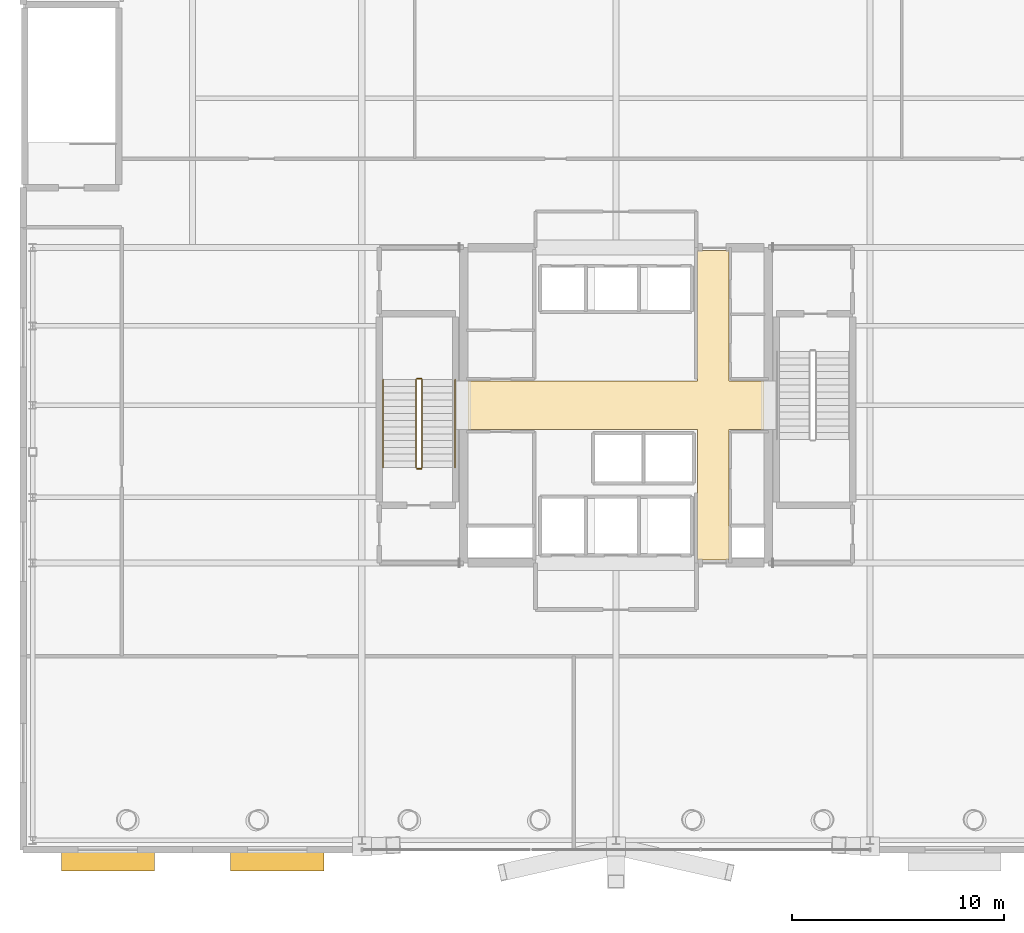
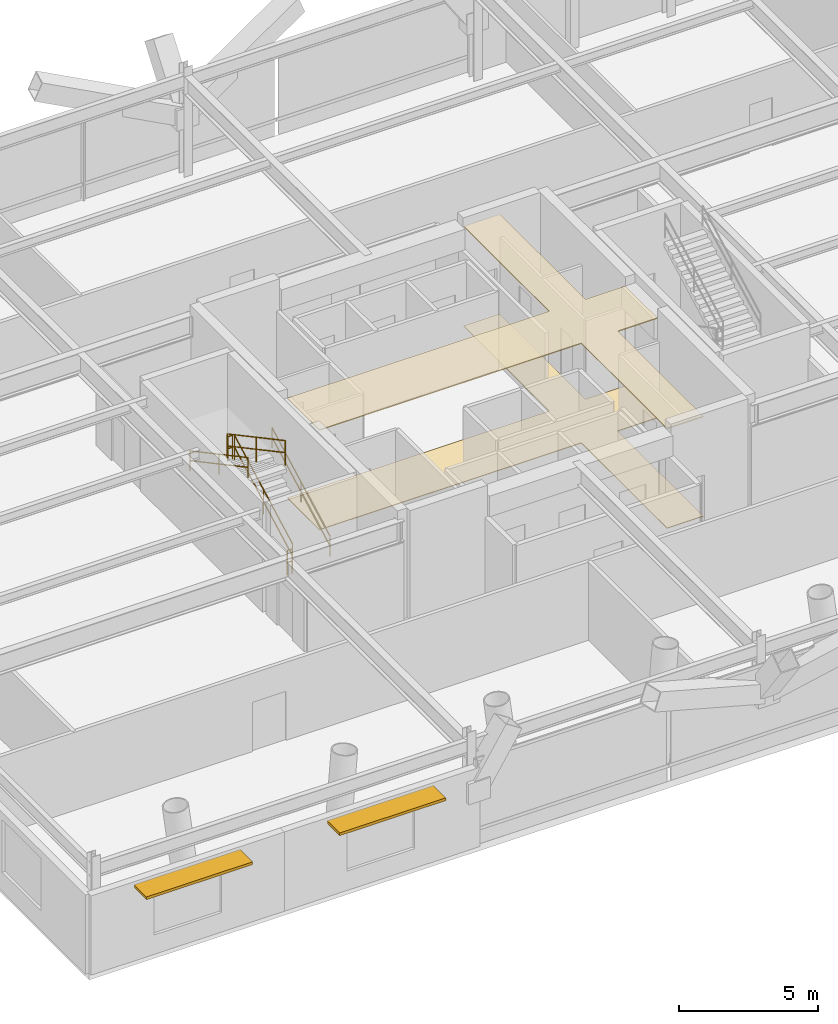
# One storey, part 19 of 21: 6 railings, 2 coverings, 2 shading devices.
"""IFC4 building model written with IfcOpenShell, lengths in metres."""

from ifc_helpers import new_model, si_unit, direction, frame, origin, origin_2d, place, context, subcontext, project, spatial, polyline, rectangle, circle, outline, extrude, material, layer, layer_set, type_object, element, save


model = new_model("IFC4")

# Units and contexts
model_context = context("Model", 3, precision=1e-05, world=origin(), true_north=direction((0.0, 1.0)))
body_context = subcontext(model_context, "Body", "Model", "MODEL_VIEW")
ifc_project = project(units=[si_unit("LENGTHUNIT", "METRE"), si_unit("AREAUNIT", "SQUARE_METRE"), si_unit("VOLUMEUNIT", "CUBIC_METRE"), si_unit("PLANEANGLEUNIT", "RADIAN"), si_unit("MASSUNIT", "GRAM", prefix="KILO")], contexts=[model_context])

# Site, building, storey
site_placement = place(None, origin())
site = spatial("IfcSite", under=ifc_project, at=site_placement, CompositionType="ELEMENT")
building_placement = place(site_placement, origin())
building = spatial("IfcBuilding", under=site, at=building_placement, Name="Veldorina Hangang Commons", CompositionType="ELEMENT")
storey_placement = place(building_placement, frame((0.0, 0.0, 19.60009765625)))
storey = spatial("IfcBuildingStorey", under=building, at=storey_placement, Name="L04", CompositionType="ELEMENT", Elevation=19.60009765625)

# Coverings
ifc_material_1 = material(Name="Mineral Fibre Acoustic Tile", Category="gypsum")
ifc_layer_1 = layer(ifc_material_1, 0.0400390625)
ifc_layer_set_1 = layer_set([ifc_layer_1], Name="Mineral Fibre Acoustic Tile")
covering_type_1 = type_object("IfcCoveringType", Name="COV-CEIL-AC60", PredefinedType="CEILING", material=ifc_layer_set_1)
covering_1_placement = place(storey_placement, frame((0.0, 0.0, 4.35986328125)))
element("IfcCovering", 1, at=covering_1_placement, inside=storey, type_object=covering_type_1, Name="L04 lobby suspended acoustic ceiling", PredefinedType="CEILING", context=body_context, shape_type="SweptSolid", body=[
    extrude(outline(polyline([(25.0, 22.85009765625), (35.85009765625, 22.85009765625), (35.85009765625, 16.699951171875), (37.35009765625, 16.699951171875), (37.35009765625, 22.85009765625), (39.0, 22.85009765625), (39.0, 25.14990234375), (37.35009765625, 25.14990234375), (37.35009765625, 31.300048828125), (35.85009765625, 31.300048828125), (35.85009765625, 25.14990234375), (25.0, 25.14990234375), (25.0, 22.85009765625)])), origin(), (0.0, 0.0, 1.0), 0.0400390625),
])
ifc_material_2 = material(Name="Stone Venetian Terrazzo", Category="masonry")
ifc_layer_2 = layer(ifc_material_2, 0.030029296875)
ifc_layer_set_2 = layer_set([ifc_layer_2], Name="Stone Venetian Terrazzo")
covering_type_2 = type_object("IfcCoveringType", Name="COV-FLR-TERZ", PredefinedType="FLOORING", material=ifc_layer_set_2)
covering_2_placement = place(storey_placement, origin())
element("IfcCovering", 2, at=covering_2_placement, inside=storey, type_object=covering_type_2, Name="L04 lobby terrazzo floor finish", PredefinedType="FLOORING", context=body_context, shape_type="SweptSolid", body=[
    extrude(outline(polyline([(25.0, 22.85009765625), (35.85009765625, 22.85009765625), (35.85009765625, 16.699951171875), (37.35009765625, 16.699951171875), (37.35009765625, 22.85009765625), (39.0, 22.85009765625), (39.0, 25.14990234375), (37.35009765625, 25.14990234375), (37.35009765625, 31.300048828125), (35.85009765625, 31.300048828125), (35.85009765625, 25.14990234375), (25.0, 25.14990234375), (25.0, 22.85009765625)])), origin(), (0.0, 0.0, 1.0), 0.02978515625),
])

# Railings
ifc_material_3 = material(Name="Steel Painted Balustrade", Category="steel")
railing_type_1 = type_object("IfcRailingType", Name="RL-GRD-STAIR", PredefinedType="GUARDRAIL", material=ifc_material_3)
railing_1_placement = place(storey_placement, frame((22.85009765625, 21.050048828125, 0.17138671875)))
element("IfcRailing", 3, at=railing_1_placement, inside=storey, type_object=railing_type_1, Name="L04 ST-1 stair guard 1", PredefinedType="GUARDRAIL", context=body_context, shape_type="SweptSolid", body=[
    extrude(circle(Radius=0.02392578125, at=origin_2d()), frame((0.0, 0.0, 1.076171875), z_axis=(0.0, 0.881480739103, 0.472219976908), x_axis=(-1.0, 0.0, 0.0)), (0.0, 0.0, 1.0), 4.71923828125),
    extrude(circle(Radius=0.02392578125, at=origin_2d()), frame((0.0, 0.0, 0.550048828125), z_axis=(0.0, 0.881480739103, 0.472219976908), x_axis=(-1.0, 0.0, 0.0)), (0.0, 0.0, 1.0), 4.71923828125),
    extrude(circle(Radius=0.02099609375, at=origin_2d()), origin(), (0.0, 0.0, 1.0), 1.052001953125),
    extrude(circle(Radius=0.02099609375, at=origin_2d()), frame((0.0, 2.080078125, 1.1142578125)), (0.0, 0.0, 1.0), 1.052001953125),
    extrude(circle(Radius=0.02099609375, at=origin_2d()), frame((0.0, 4.159912109375, 2.228515625)), (0.0, 0.0, 1.0), 1.052001953125),
])
railing_2_placement = place(storey_placement, frame((22.800048828125, 25.260009765625, 2.39990234375)))
element("IfcRailing", 4, at=railing_2_placement, inside=storey, type_object=railing_type_1, Name="L04 ST-1 stair guard 2", PredefinedType="GUARDRAIL", context=body_context, shape_type="SweptSolid", body=[
    extrude(circle(Radius=0.02392578125, at=origin_2d()), frame((0.0, 0.0, 1.076171875), z_axis=(-1.0, 0.0, 0.0), x_axis=(0.0, -1.0, 0.0)), (0.0, 0.0, 1.0), 0.199951171875),
    extrude(circle(Radius=0.02392578125, at=origin_2d()), frame((0.0, 0.0, 0.550048828125), z_axis=(-1.0, 0.0, 0.0), x_axis=(0.0, -1.0, 0.0)), (0.0, 0.0, 1.0), 0.199951171875),
    extrude(circle(Radius=0.02099609375, at=origin_2d()), origin(), (0.0, 0.0, 1.0), 1.052001953125),
    extrude(circle(Radius=0.02099609375, at=origin_2d()), frame((-0.199951171875, 0.0, 0.0)), (0.0, 0.0, 1.0), 1.052001953125),
])
railing_3_placement = place(storey_placement, frame((22.550048828125, 25.2099609375, 2.5712890625)))
element("IfcRailing", 5, at=railing_3_placement, inside=storey, type_object=railing_type_1, Name="L04 ST-1 stair guard 3", PredefinedType="GUARDRAIL", context=body_context, shape_type="SweptSolid", body=[
    extrude(circle(Radius=0.02392578125, at=origin_2d()), frame((0.0, 0.0, 1.076171875), z_axis=(0.0, -0.881480739103, 0.472219976908), x_axis=(1.0, 0.0, 0.0)), (0.0, 0.0, 1.0), 4.71923828125),
    extrude(circle(Radius=0.02392578125, at=origin_2d()), frame((0.0, 0.0, 0.550048828125), z_axis=(0.0, -0.881480739103, 0.472219976908), x_axis=(1.0, 0.0, 0.0)), (0.0, 0.0, 1.0), 4.71923828125),
    extrude(circle(Radius=0.02099609375, at=origin_2d()), origin(), (0.0, 0.0, 1.0), 1.052001953125),
    extrude(circle(Radius=0.02099609375, at=origin_2d()), frame((0.0, -2.080078125, 1.1142578125)), (0.0, 0.0, 1.0), 1.052001953125),
    extrude(circle(Radius=0.02099609375, at=origin_2d()), frame((0.0, -4.159912109375, 2.228515625)), (0.0, 0.0, 1.0), 1.052001953125),
])
railing_4_placement = place(storey_placement, frame((22.800048828125, 21.0, 0.0)))
element("IfcRailing", 6, at=railing_4_placement, inside=storey, type_object=railing_type_1, Name="L04 ST-1 stair guard 4", PredefinedType="GUARDRAIL", context=body_context, shape_type="SweptSolid", body=[
    extrude(circle(Radius=0.02392578125, at=origin_2d()), frame((0.0, 0.0, 1.076171875), z_axis=(-1.0, 0.0, 0.0), x_axis=(0.0, -1.0, 0.0)), (0.0, 0.0, 1.0), 0.199951171875),
    extrude(circle(Radius=0.02392578125, at=origin_2d()), frame((0.0, 0.0, 0.550048828125), z_axis=(-1.0, 0.0, 0.0), x_axis=(0.0, -1.0, 0.0)), (0.0, 0.0, 1.0), 0.199951171875),
    extrude(circle(Radius=0.02099609375, at=origin_2d()), origin(), (0.0, 0.0, 1.0), 1.052001953125),
    extrude(circle(Radius=0.02099609375, at=origin_2d()), frame((-0.199951171875, 0.0, 0.0)), (0.0, 0.0, 1.0), 1.052001953125),
])
ifc_material_4 = material(Name="Stainless Steel Brushed 316", Category="steel")
railing_type_2 = type_object("IfcRailingType", Name="RL-HND-STAIR", PredefinedType="HANDRAIL", material=ifc_material_4)
railing_5_placement = place(storey_placement, frame((24.39990234375, 21.050048828125, 0.17138671875)))
element("IfcRailing", 7, at=railing_5_placement, inside=storey, type_object=railing_type_2, Name="L04 ST-1 stair handrail 1", PredefinedType="HANDRAIL", context=body_context, shape_type="SweptSolid", body=[
    extrude(circle(Radius=0.02392578125, at=origin_2d()), frame((0.0, 0.0, 0.8759765625), z_axis=(0.0, 0.881480739103, 0.472219976908), x_axis=(-1.0, 0.0, 0.0)), (0.0, 0.0, 1.0), 4.71923828125),
    extrude(circle(Radius=0.02392578125, at=origin_2d()), frame((0.0, 0.0, 0.449951171875), z_axis=(0.0, 0.881480739103, 0.472219976908), x_axis=(-1.0, 0.0, 0.0)), (0.0, 0.0, 1.0), 4.71923828125),
    extrude(circle(Radius=0.02099609375, at=origin_2d()), origin(), (0.0, 0.0, 1.0), 0.851806640625),
    extrude(circle(Radius=0.02099609375, at=origin_2d()), frame((0.0, 2.080078125, 1.1142578125)), (0.0, 0.0, 1.0), 0.851806640625),
    extrude(circle(Radius=0.02099609375, at=origin_2d()), frame((0.0, 4.159912109375, 2.228515625)), (0.0, 0.0, 1.0), 0.851806640625),
])
railing_6_placement = place(storey_placement, frame((21.0, 25.2099609375, 2.5712890625)))
element("IfcRailing", 8, at=railing_6_placement, inside=storey, type_object=railing_type_2, Name="L04 ST-1 stair handrail 2", PredefinedType="HANDRAIL", context=body_context, shape_type="SweptSolid", body=[
    extrude(circle(Radius=0.02392578125, at=origin_2d()), frame((0.0, 0.0, 0.8759765625), z_axis=(0.0, -0.881480739103, 0.472219976908), x_axis=(1.0, 0.0, 0.0)), (0.0, 0.0, 1.0), 4.71923828125),
    extrude(circle(Radius=0.02392578125, at=origin_2d()), frame((0.0, 0.0, 0.449951171875), z_axis=(0.0, -0.881480739103, 0.472219976908), x_axis=(1.0, 0.0, 0.0)), (0.0, 0.0, 1.0), 4.71923828125),
    extrude(circle(Radius=0.02099609375, at=origin_2d()), origin(), (0.0, 0.0, 1.0), 0.851806640625),
    extrude(circle(Radius=0.02099609375, at=origin_2d()), frame((0.0, -2.080078125, 1.1142578125)), (0.0, 0.0, 1.0), 0.851806640625),
    extrude(circle(Radius=0.02099609375, at=origin_2d()), frame((0.0, -4.159912109375, 2.228515625)), (0.0, 0.0, 1.0), 0.851806640625),
])

# Shading devices
ifc_material_5 = material(Name="Stone Roman Travertine", Category="masonry")
ifc_layer_3 = layer(ifc_material_5, 0.1201171875)
ifc_layer_set_3 = layer_set([ifc_layer_3], Name="Stone Roman Travertine")
shading_device_type = type_object("IfcShadingDeviceType", Name="SHD-POD-4000", PredefinedType="USERDEFINED", material=ifc_layer_set_3)
for number, where, z_axis, x_axis, name in (
    (9, (8.0, 2.449951171875, 3.18994140625), (0.0, 0.0, 1.0), (1.0, 0.0, 0.0), "L04 south travertine sunshade S1"),
    (10, (16.0, 2.449951171875, 3.18994140625), (0.0, 0.0, 1.0), (1.0, 0.0, 0.0), "L04 south travertine sunshade S2"),
):
    element("IfcShadingDevice", number, at=place(storey_placement, frame(where, z_axis=z_axis, x_axis=x_axis)), inside=storey, type_object=shading_device_type, Name=name, ObjectType="SUNSHADE", PredefinedType="USERDEFINED", context=body_context, shape_type="SweptSolid", body=[
        extrude(rectangle(XDim=4.39990234375, YDim=0.89990234375, at=origin_2d()), origin(), (0.0, 0.0, 1.0), 0.1201171875),
    ])

save(model, "model.ifc")
